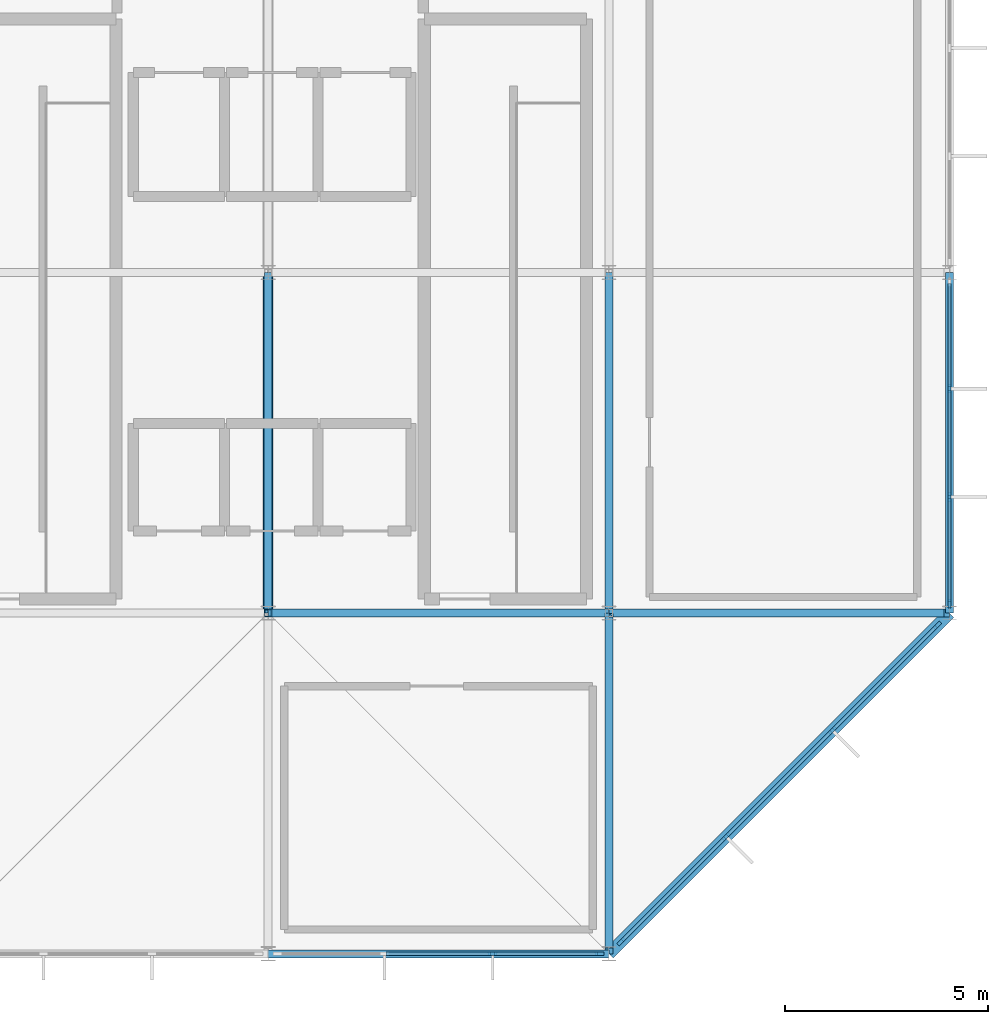
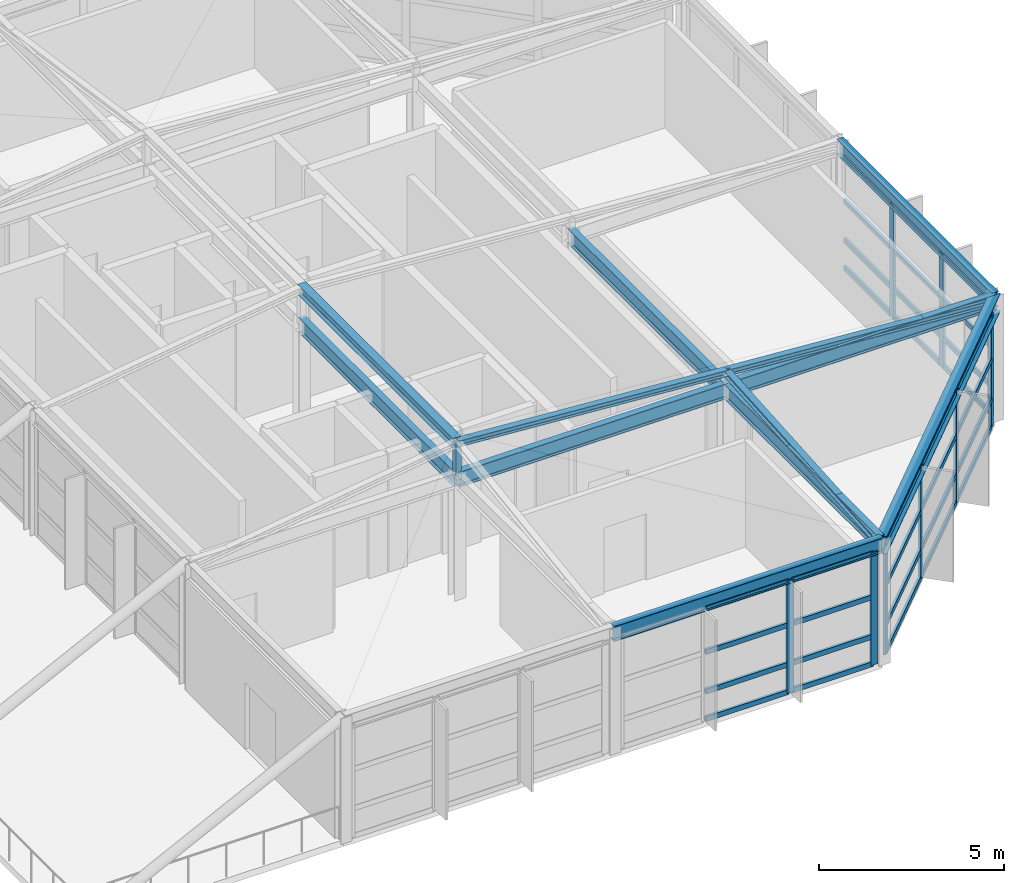
# One storey, part 2 of 9: 46 members, 8 beams, 3 elements without a shape of their own.
"""IFC4 building model written with IfcOpenShell, lengths in metres."""

from ifc_helpers import new_model, si_unit, direction, frame, origin, origin_2d, place, context, subcontext, project, spatial, rectangle, hollow_rectangle, i_section, extrude, material, material_profile, profile_set, type_object, element, aggregate, save


model = new_model("IFC4")

# Units and contexts
model_context = context("Model", 3, precision=1e-05, world=origin(), true_north=direction((0.0, 1.0)))
body_context = subcontext(model_context, "Body", "Model", "MODEL_VIEW")
ifc_project = project(units=[si_unit("LENGTHUNIT", "METRE"), si_unit("AREAUNIT", "SQUARE_METRE"), si_unit("VOLUMEUNIT", "CUBIC_METRE"), si_unit("PLANEANGLEUNIT", "RADIAN"), si_unit("MASSUNIT", "GRAM", prefix="KILO")], contexts=[model_context])

# Site, building, storey
site_placement = place(None, origin())
site = spatial("IfcSite", under=ifc_project, at=site_placement, CompositionType="ELEMENT")
building_placement = place(site_placement, origin())
building = spatial("IfcBuilding", under=site, at=building_placement, Name="Xuanlan Plaza Opera House", CompositionType="ELEMENT")
storey_placement = place(building_placement, frame((0.0, 0.0, 74.39990234375)))
storey = spatial("IfcBuildingStorey", under=building, at=storey_placement, Name="ROOF", CompositionType="ELEMENT", Elevation=74.39990234375)

# Curtain wall, members
ifc_material_1 = material(Name="Anodised Aluminium 6063-T6 and Low-E Glass", Category="aluminium")
curtain_wall_type_1 = type_object("IfcCurtainWallType", Name="ENV-CW-CW-04", PredefinedType="USERDEFINED", material=ifc_material_1)
curtain_wall_1_placement = place(storey_placement, origin())
curtain_wall_1 = element("IfcCurtainWall", 1, at=curtain_wall_1_placement, inside=storey, type_object=curtain_wall_type_1, Name="Unitised Curtain Wall ROOF-002", ObjectType="UNITISED CURTAIN WALL", PredefinedType="USERDEFINED")
ifc_material_2 = material(Name="Anodised Aluminium 6063-T6", Category="aluminium")
ifc_material_profile_1 = material_profile(ifc_material_2, rectangle(XDim=0.080078125, YDim=0.219970703125, at=origin_2d()), Name="ALU-M 80x220")
ifc_profile_set_1 = profile_set([ifc_material_profile_1], Name="Anodised Aluminium 6063-T6")
member_type_1 = type_object("IfcMemberType", Name="ENV-CWM-04", PredefinedType="MULLION", material=ifc_profile_set_1)
member_1_placement = place(storey_placement, frame((148.3349609375, 42.0, 0.0), z_axis=(0.0, 0.0, 1.0), x_axis=(0.0, 1.0, 0.0)))
member_1 = element("IfcMember", 2, at=member_1_placement, type_object=member_type_1, Name="CW-04 mullion 3", PredefinedType="MULLION", context=body_context, shape_type="SweptSolid", body=[
    extrude(rectangle(XDim=0.080078125, YDim=0.219970703125, at=origin_2d()), origin(), (0.0, 0.0, 1.0), 3.72021484375),
])
member_2_placement = place(storey_placement, frame((150.965087890625, 42.0, 0.0), z_axis=(0.0, 0.0, 1.0), x_axis=(0.0, 1.0, 0.0)))
member_2 = element("IfcMember", 3, at=member_2_placement, type_object=member_type_1, Name="CW-04 mullion 4", PredefinedType="MULLION", context=body_context, shape_type="SweptSolid", body=[
    extrude(rectangle(XDim=0.080078125, YDim=0.219970703125, at=origin_2d()), origin(), (0.0, 0.0, 1.0), 3.72021484375),
])

curtain_wall_type_2 = type_object("IfcCurtainWallType", Name="ENV-CW-CW-03", PredefinedType="USERDEFINED", material=ifc_material_1)
curtain_wall_2_placement = place(storey_placement, origin())
curtain_wall_2 = element("IfcCurtainWall", 4, at=curtain_wall_2_placement, inside=storey, type_object=curtain_wall_type_2, Name="Unitised Curtain Wall ROOF-003", ObjectType="UNITISED CURTAIN WALL", PredefinedType="USERDEFINED")
member_3_placement = place(storey_placement, frame((151.502197265625, 42.30224609375, 0.0), z_axis=(0.0, 0.0, 1.0), x_axis=(-0.707106781187, 0.707106781187, 0.0)))
member_3 = element("IfcMember", 5, at=member_3_placement, type_object=member_type_1, Name="CW-03 mullion 1", PredefinedType="MULLION", context=body_context, shape_type="SweptSolid", body=[
    extrude(rectangle(XDim=0.080078125, YDim=0.219970703125, at=origin_2d()), origin(), (0.0, 0.0, 1.0), 3.72021484375),
])
member_4_placement = place(storey_placement, frame((154.09130859375, 44.891357421875, 0.0), z_axis=(0.0, 0.0, 1.0), x_axis=(-0.707106781187, 0.707106781187, 0.0)))
member_4 = element("IfcMember", 6, at=member_4_placement, type_object=member_type_1, Name="CW-03 mullion 2", PredefinedType="MULLION", context=body_context, shape_type="SweptSolid", body=[
    extrude(rectangle(XDim=0.080078125, YDim=0.219970703125, at=origin_2d()), origin(), (0.0, 0.0, 1.0), 3.72021484375),
])
member_5_placement = place(storey_placement, frame((156.708740234375, 47.508544921875, 0.0), z_axis=(0.0, 0.0, 1.0), x_axis=(-0.707106781187, 0.707106781187, 0.0)))
member_5 = element("IfcMember", 7, at=member_5_placement, type_object=member_type_1, Name="CW-03 mullion 3", PredefinedType="MULLION", context=body_context, shape_type="SweptSolid", body=[
    extrude(rectangle(XDim=0.080078125, YDim=0.219970703125, at=origin_2d()), origin(), (0.0, 0.0, 1.0), 3.72021484375),
])
member_6_placement = place(storey_placement, frame((159.297607421875, 50.09765625, 0.0), z_axis=(0.0, 0.0, 1.0), x_axis=(-0.707106781187, 0.707106781187, 0.0)))
member_6 = element("IfcMember", 8, at=member_6_placement, type_object=member_type_1, Name="CW-03 mullion 4", PredefinedType="MULLION", context=body_context, shape_type="SweptSolid", body=[
    extrude(rectangle(XDim=0.080078125, YDim=0.219970703125, at=origin_2d()), origin(), (0.0, 0.0, 1.0), 3.72021484375),
])

curtain_wall_3_placement = place(storey_placement, origin())
curtain_wall_3 = element("IfcCurtainWall", 9, at=curtain_wall_3_placement, inside=storey, type_object=curtain_wall_type_1, Name="Unitised Curtain Wall ROOF-004", ObjectType="UNITISED CURTAIN WALL", PredefinedType="USERDEFINED")
member_7_placement = place(storey_placement, frame((159.60009765625, 50.635009765625, 0.0), z_axis=(0.0, 0.0, 1.0), x_axis=(-1.0, 0.0, 0.0)))
member_7 = element("IfcMember", 10, at=member_7_placement, type_object=member_type_1, Name="CW-04 mullion 1", PredefinedType="MULLION", context=body_context, shape_type="SweptSolid", body=[
    extrude(rectangle(XDim=0.080078125, YDim=0.219970703125, at=origin_2d()), origin(), (0.0, 0.0, 1.0), 3.72021484375),
])
member_8_placement = place(storey_placement, frame((159.60009765625, 53.264892578125, 0.0), z_axis=(0.0, 0.0, 1.0), x_axis=(-1.0, 0.0, 0.0)))
member_8 = element("IfcMember", 11, at=member_8_placement, type_object=member_type_1, Name="CW-04 mullion 2", PredefinedType="MULLION", context=body_context, shape_type="SweptSolid", body=[
    extrude(rectangle(XDim=0.080078125, YDim=0.219970703125, at=origin_2d()), origin(), (0.0, 0.0, 1.0), 3.72021484375),
])
member_9_placement = place(storey_placement, frame((159.60009765625, 55.93505859375, 0.0), z_axis=(0.0, 0.0, 1.0), x_axis=(-1.0, 0.0, 0.0)))
member_9 = element("IfcMember", 12, at=member_9_placement, type_object=member_type_1, Name="CW-04 mullion 3", PredefinedType="MULLION", context=body_context, shape_type="SweptSolid", body=[
    extrude(rectangle(XDim=0.080078125, YDim=0.219970703125, at=origin_2d()), origin(), (0.0, 0.0, 1.0), 3.72021484375),
])

# Member
ifc_material_profile_2 = material_profile(ifc_material_2, rectangle(XDim=0.080078125, YDim=0.1650390625, at=origin_2d()), Name="ALU-T 80x165")
ifc_profile_set_2 = profile_set([ifc_material_profile_2], Name="Anodised Aluminium 6063-T6")
member_type_2 = type_object("IfcMemberType", Name="ENV-CWT-04", PredefinedType="USERDEFINED", material=ifc_profile_set_2)
member_10_placement = place(storey_placement, frame((145.705078125, 42.0, 0.0400390625), z_axis=(1.0, 0.0, 0.0), x_axis=(0.0, 1.0, 0.0)))
member_10 = element("IfcMember", 13, at=member_10_placement, type_object=member_type_2, Name="CW-04 transom 2.1", ObjectType="TRANSOM", PredefinedType="USERDEFINED", context=body_context, shape_type="SweptSolid", body=[
    extrude(rectangle(XDim=0.080078125, YDim=0.1650390625, at=origin_2d()), origin(), (0.0, 0.0, 1.0), 2.58984375),
])

member_11_placement = place(storey_placement, frame((145.705078125, 42.0, 0.9501953125), z_axis=(1.0, 0.0, 0.0), x_axis=(0.0, 1.0, 0.0)))
member_11 = element("IfcMember", 14, at=member_11_placement, type_object=member_type_2, Name="CW-04 transom 2.2", ObjectType="TRANSOM", PredefinedType="USERDEFINED", context=body_context, shape_type="SweptSolid", body=[
    extrude(rectangle(XDim=0.080078125, YDim=0.1650390625, at=origin_2d()), origin(), (0.0, 0.0, 1.0), 2.58984375),
])

member_12_placement = place(storey_placement, frame((145.705078125, 42.0, 2.25), z_axis=(1.0, 0.0, 0.0), x_axis=(0.0, 1.0, 0.0)))
member_12 = element("IfcMember", 15, at=member_12_placement, type_object=member_type_2, Name="CW-04 transom 2.3", ObjectType="TRANSOM", PredefinedType="USERDEFINED", context=body_context, shape_type="SweptSolid", body=[
    extrude(rectangle(XDim=0.080078125, YDim=0.1650390625, at=origin_2d()), origin(), (0.0, 0.0, 1.0), 2.58984375),
])

member_13_placement = place(storey_placement, frame((145.705078125, 42.0, 3.68017578125), z_axis=(1.0, 0.0, 0.0), x_axis=(0.0, 1.0, 0.0)))
member_13 = element("IfcMember", 16, at=member_13_placement, type_object=member_type_2, Name="CW-04 transom 2.4", ObjectType="TRANSOM", PredefinedType="USERDEFINED", context=body_context, shape_type="SweptSolid", body=[
    extrude(rectangle(XDim=0.080078125, YDim=0.1650390625, at=origin_2d()), origin(), (0.0, 0.0, 1.0), 2.58984375),
])

member_14_placement = place(storey_placement, frame((148.375, 42.0, 0.0400390625), z_axis=(1.0, 0.0, 0.0), x_axis=(0.0, 1.0, 0.0)))
member_14 = element("IfcMember", 17, at=member_14_placement, type_object=member_type_2, Name="CW-04 transom 3.1", ObjectType="TRANSOM", PredefinedType="USERDEFINED", context=body_context, shape_type="SweptSolid", body=[
    extrude(rectangle(XDim=0.080078125, YDim=0.1650390625, at=origin_2d()), origin(), (0.0, 0.0, 1.0), 2.550048828125),
])

member_15_placement = place(storey_placement, frame((148.375, 42.0, 0.9501953125), z_axis=(1.0, 0.0, 0.0), x_axis=(0.0, 1.0, 0.0)))
member_15 = element("IfcMember", 18, at=member_15_placement, type_object=member_type_2, Name="CW-04 transom 3.2", ObjectType="TRANSOM", PredefinedType="USERDEFINED", context=body_context, shape_type="SweptSolid", body=[
    extrude(rectangle(XDim=0.080078125, YDim=0.1650390625, at=origin_2d()), origin(), (0.0, 0.0, 1.0), 2.550048828125),
])

member_16_placement = place(storey_placement, frame((148.375, 42.0, 2.25), z_axis=(1.0, 0.0, 0.0), x_axis=(0.0, 1.0, 0.0)))
member_16 = element("IfcMember", 19, at=member_16_placement, type_object=member_type_2, Name="CW-04 transom 3.3", ObjectType="TRANSOM", PredefinedType="USERDEFINED", context=body_context, shape_type="SweptSolid", body=[
    extrude(rectangle(XDim=0.080078125, YDim=0.1650390625, at=origin_2d()), origin(), (0.0, 0.0, 1.0), 2.550048828125),
])

member_17_placement = place(storey_placement, frame((148.375, 42.0, 3.68017578125), z_axis=(1.0, 0.0, 0.0), x_axis=(0.0, 1.0, 0.0)))
member_17 = element("IfcMember", 20, at=member_17_placement, type_object=member_type_2, Name="CW-04 transom 3.4", ObjectType="TRANSOM", PredefinedType="USERDEFINED", context=body_context, shape_type="SweptSolid", body=[
    extrude(rectangle(XDim=0.080078125, YDim=0.1650390625, at=origin_2d()), origin(), (0.0, 0.0, 1.0), 2.550048828125),
])

aggregate(curtain_wall_1, [member_1, member_2, member_10, member_11, member_12, member_13, member_14, member_15, member_16, member_17])

member_18_placement = place(storey_placement, frame((151.530517578125, 42.33056640625, 0.0400390625), z_axis=(0.707106781187, 0.707106781187, 0.0), x_axis=(-0.707106781187, 0.707106781187, 0.0)))
member_18 = element("IfcMember", 21, at=member_18_placement, type_object=member_type_2, Name="CW-03 transom 1.1", ObjectType="TRANSOM", PredefinedType="USERDEFINED", context=body_context, shape_type="SweptSolid", body=[
    extrude(rectangle(XDim=0.080078125, YDim=0.1650390625, at=origin_2d()), origin(), (0.0, 0.0, 1.0), 3.58154296875),
])

member_19_placement = place(storey_placement, frame((151.530517578125, 42.33056640625, 0.9501953125), z_axis=(0.707106781187, 0.707106781187, 0.0), x_axis=(-0.707106781187, 0.707106781187, 0.0)))
member_19 = element("IfcMember", 22, at=member_19_placement, type_object=member_type_2, Name="CW-03 transom 1.2", ObjectType="TRANSOM", PredefinedType="USERDEFINED", context=body_context, shape_type="SweptSolid", body=[
    extrude(rectangle(XDim=0.080078125, YDim=0.1650390625, at=origin_2d()), origin(), (0.0, 0.0, 1.0), 3.58154296875),
])

member_20_placement = place(storey_placement, frame((151.530517578125, 42.33056640625, 2.25), z_axis=(0.707106781187, 0.707106781187, 0.0), x_axis=(-0.707106781187, 0.707106781187, 0.0)))
member_20 = element("IfcMember", 23, at=member_20_placement, type_object=member_type_2, Name="CW-03 transom 1.3", ObjectType="TRANSOM", PredefinedType="USERDEFINED", context=body_context, shape_type="SweptSolid", body=[
    extrude(rectangle(XDim=0.080078125, YDim=0.1650390625, at=origin_2d()), origin(), (0.0, 0.0, 1.0), 3.58154296875),
])

member_21_placement = place(storey_placement, frame((151.530517578125, 42.33056640625, 3.68017578125), z_axis=(0.707106781187, 0.707106781187, 0.0), x_axis=(-0.707106781187, 0.707106781187, 0.0)))
member_21 = element("IfcMember", 24, at=member_21_placement, type_object=member_type_2, Name="CW-03 transom 1.4", ObjectType="TRANSOM", PredefinedType="USERDEFINED", context=body_context, shape_type="SweptSolid", body=[
    extrude(rectangle(XDim=0.080078125, YDim=0.1650390625, at=origin_2d()), origin(), (0.0, 0.0, 1.0), 3.58154296875),
])

member_22_placement = place(storey_placement, frame((154.11962890625, 44.919677734375, 0.0400390625), z_axis=(0.707106781187, 0.707106781187, 0.0), x_axis=(-0.707106781187, 0.707106781187, 0.0)))
member_22 = element("IfcMember", 25, at=member_22_placement, type_object=member_type_2, Name="CW-03 transom 2.1", ObjectType="TRANSOM", PredefinedType="USERDEFINED", context=body_context, shape_type="SweptSolid", body=[
    extrude(rectangle(XDim=0.080078125, YDim=0.1650390625, at=origin_2d()), origin(), (0.0, 0.0, 1.0), 3.62158203125),
])

member_23_placement = place(storey_placement, frame((154.11962890625, 44.919677734375, 0.9501953125), z_axis=(0.707106781187, 0.707106781187, 0.0), x_axis=(-0.707106781187, 0.707106781187, 0.0)))
member_23 = element("IfcMember", 26, at=member_23_placement, type_object=member_type_2, Name="CW-03 transom 2.2", ObjectType="TRANSOM", PredefinedType="USERDEFINED", context=body_context, shape_type="SweptSolid", body=[
    extrude(rectangle(XDim=0.080078125, YDim=0.1650390625, at=origin_2d()), origin(), (0.0, 0.0, 1.0), 3.62158203125),
])

member_24_placement = place(storey_placement, frame((154.11962890625, 44.919677734375, 2.25), z_axis=(0.707106781187, 0.707106781187, 0.0), x_axis=(-0.707106781187, 0.707106781187, 0.0)))
member_24 = element("IfcMember", 27, at=member_24_placement, type_object=member_type_2, Name="CW-03 transom 2.3", ObjectType="TRANSOM", PredefinedType="USERDEFINED", context=body_context, shape_type="SweptSolid", body=[
    extrude(rectangle(XDim=0.080078125, YDim=0.1650390625, at=origin_2d()), origin(), (0.0, 0.0, 1.0), 3.62158203125),
])

member_25_placement = place(storey_placement, frame((154.11962890625, 44.919677734375, 3.68017578125), z_axis=(0.707106781187, 0.707106781187, 0.0), x_axis=(-0.707106781187, 0.707106781187, 0.0)))
member_25 = element("IfcMember", 28, at=member_25_placement, type_object=member_type_2, Name="CW-03 transom 2.4", ObjectType="TRANSOM", PredefinedType="USERDEFINED", context=body_context, shape_type="SweptSolid", body=[
    extrude(rectangle(XDim=0.080078125, YDim=0.1650390625, at=origin_2d()), origin(), (0.0, 0.0, 1.0), 3.62158203125),
])

member_26_placement = place(storey_placement, frame((156.737060546875, 47.536865234375, 0.0400390625), z_axis=(0.707106781187, 0.707106781187, 0.0), x_axis=(-0.707106781187, 0.707106781187, 0.0)))
member_26 = element("IfcMember", 29, at=member_26_placement, type_object=member_type_2, Name="CW-03 transom 3.1", ObjectType="TRANSOM", PredefinedType="USERDEFINED", context=body_context, shape_type="SweptSolid", body=[
    extrude(rectangle(XDim=0.080078125, YDim=0.1650390625, at=origin_2d()), origin(), (0.0, 0.0, 1.0), 3.58154296875),
])

member_27_placement = place(storey_placement, frame((156.737060546875, 47.536865234375, 0.9501953125), z_axis=(0.707106781187, 0.707106781187, 0.0), x_axis=(-0.707106781187, 0.707106781187, 0.0)))
member_27 = element("IfcMember", 30, at=member_27_placement, type_object=member_type_2, Name="CW-03 transom 3.2", ObjectType="TRANSOM", PredefinedType="USERDEFINED", context=body_context, shape_type="SweptSolid", body=[
    extrude(rectangle(XDim=0.080078125, YDim=0.1650390625, at=origin_2d()), origin(), (0.0, 0.0, 1.0), 3.58154296875),
])

member_28_placement = place(storey_placement, frame((156.737060546875, 47.536865234375, 2.25), z_axis=(0.707106781187, 0.707106781187, 0.0), x_axis=(-0.707106781187, 0.707106781187, 0.0)))
member_28 = element("IfcMember", 31, at=member_28_placement, type_object=member_type_2, Name="CW-03 transom 3.3", ObjectType="TRANSOM", PredefinedType="USERDEFINED", context=body_context, shape_type="SweptSolid", body=[
    extrude(rectangle(XDim=0.080078125, YDim=0.1650390625, at=origin_2d()), origin(), (0.0, 0.0, 1.0), 3.58154296875),
])

member_29_placement = place(storey_placement, frame((156.737060546875, 47.536865234375, 3.68017578125), z_axis=(0.707106781187, 0.707106781187, 0.0), x_axis=(-0.707106781187, 0.707106781187, 0.0)))
member_29 = element("IfcMember", 32, at=member_29_placement, type_object=member_type_2, Name="CW-03 transom 3.4", ObjectType="TRANSOM", PredefinedType="USERDEFINED", context=body_context, shape_type="SweptSolid", body=[
    extrude(rectangle(XDim=0.080078125, YDim=0.1650390625, at=origin_2d()), origin(), (0.0, 0.0, 1.0), 3.58154296875),
])

aggregate(curtain_wall_2, [member_3, member_4, member_5, member_6, member_18, member_19, member_20, member_21, member_22, member_23, member_24, member_25, member_26, member_27, member_28, member_29])

member_30_placement = place(storey_placement, frame((159.60009765625, 50.675048828125, 0.0400390625), z_axis=(0.0, 1.0, 0.0), x_axis=(-1.0, 0.0, 0.0)))
member_30 = element("IfcMember", 33, at=member_30_placement, type_object=member_type_2, Name="CW-04 transom 1.1", ObjectType="TRANSOM", PredefinedType="USERDEFINED", context=body_context, shape_type="SweptSolid", body=[
    extrude(rectangle(XDim=0.080078125, YDim=0.1650390625, at=origin_2d()), origin(), (0.0, 0.0, 1.0), 2.550048828125),
])

member_31_placement = place(storey_placement, frame((159.60009765625, 50.675048828125, 0.9501953125), z_axis=(0.0, 1.0, 0.0), x_axis=(-1.0, 0.0, 0.0)))
member_31 = element("IfcMember", 34, at=member_31_placement, type_object=member_type_2, Name="CW-04 transom 1.2", ObjectType="TRANSOM", PredefinedType="USERDEFINED", context=body_context, shape_type="SweptSolid", body=[
    extrude(rectangle(XDim=0.080078125, YDim=0.1650390625, at=origin_2d()), origin(), (0.0, 0.0, 1.0), 2.550048828125),
])

member_32_placement = place(storey_placement, frame((159.60009765625, 50.675048828125, 2.25), z_axis=(0.0, 1.0, 0.0), x_axis=(-1.0, 0.0, 0.0)))
member_32 = element("IfcMember", 35, at=member_32_placement, type_object=member_type_2, Name="CW-04 transom 1.3", ObjectType="TRANSOM", PredefinedType="USERDEFINED", context=body_context, shape_type="SweptSolid", body=[
    extrude(rectangle(XDim=0.080078125, YDim=0.1650390625, at=origin_2d()), origin(), (0.0, 0.0, 1.0), 2.550048828125),
])

member_33_placement = place(storey_placement, frame((159.60009765625, 50.675048828125, 3.68017578125), z_axis=(0.0, 1.0, 0.0), x_axis=(-1.0, 0.0, 0.0)))
member_33 = element("IfcMember", 36, at=member_33_placement, type_object=member_type_2, Name="CW-04 transom 1.4", ObjectType="TRANSOM", PredefinedType="USERDEFINED", context=body_context, shape_type="SweptSolid", body=[
    extrude(rectangle(XDim=0.080078125, YDim=0.1650390625, at=origin_2d()), origin(), (0.0, 0.0, 1.0), 2.550048828125),
])

member_34_placement = place(storey_placement, frame((159.60009765625, 53.304931640625, 0.0400390625), z_axis=(0.0, 1.0, 0.0), x_axis=(-1.0, 0.0, 0.0)))
member_34 = element("IfcMember", 37, at=member_34_placement, type_object=member_type_2, Name="CW-04 transom 2.1", ObjectType="TRANSOM", PredefinedType="USERDEFINED", context=body_context, shape_type="SweptSolid", body=[
    extrude(rectangle(XDim=0.080078125, YDim=0.1650390625, at=origin_2d()), origin(), (0.0, 0.0, 1.0), 2.590087890625),
])

member_35_placement = place(storey_placement, frame((159.60009765625, 53.304931640625, 0.9501953125), z_axis=(0.0, 1.0, 0.0), x_axis=(-1.0, 0.0, 0.0)))
member_35 = element("IfcMember", 38, at=member_35_placement, type_object=member_type_2, Name="CW-04 transom 2.2", ObjectType="TRANSOM", PredefinedType="USERDEFINED", context=body_context, shape_type="SweptSolid", body=[
    extrude(rectangle(XDim=0.080078125, YDim=0.1650390625, at=origin_2d()), origin(), (0.0, 0.0, 1.0), 2.590087890625),
])

member_36_placement = place(storey_placement, frame((159.60009765625, 53.304931640625, 2.25), z_axis=(0.0, 1.0, 0.0), x_axis=(-1.0, 0.0, 0.0)))
member_36 = element("IfcMember", 39, at=member_36_placement, type_object=member_type_2, Name="CW-04 transom 2.3", ObjectType="TRANSOM", PredefinedType="USERDEFINED", context=body_context, shape_type="SweptSolid", body=[
    extrude(rectangle(XDim=0.080078125, YDim=0.1650390625, at=origin_2d()), origin(), (0.0, 0.0, 1.0), 2.590087890625),
])

member_37_placement = place(storey_placement, frame((159.60009765625, 53.304931640625, 3.68017578125), z_axis=(0.0, 1.0, 0.0), x_axis=(-1.0, 0.0, 0.0)))
member_37 = element("IfcMember", 40, at=member_37_placement, type_object=member_type_2, Name="CW-04 transom 2.4", ObjectType="TRANSOM", PredefinedType="USERDEFINED", context=body_context, shape_type="SweptSolid", body=[
    extrude(rectangle(XDim=0.080078125, YDim=0.1650390625, at=origin_2d()), origin(), (0.0, 0.0, 1.0), 2.590087890625),
])

member_38_placement = place(storey_placement, frame((159.60009765625, 55.97509765625, 0.0400390625), z_axis=(0.0, 1.0, 0.0), x_axis=(-1.0, 0.0, 0.0)))
member_38 = element("IfcMember", 41, at=member_38_placement, type_object=member_type_2, Name="CW-04 transom 3.1", ObjectType="TRANSOM", PredefinedType="USERDEFINED", context=body_context, shape_type="SweptSolid", body=[
    extrude(rectangle(XDim=0.080078125, YDim=0.1650390625, at=origin_2d()), origin(), (0.0, 0.0, 1.0), 2.5498046875),
])

member_39_placement = place(storey_placement, frame((159.60009765625, 55.97509765625, 0.9501953125), z_axis=(0.0, 1.0, 0.0), x_axis=(-1.0, 0.0, 0.0)))
member_39 = element("IfcMember", 42, at=member_39_placement, type_object=member_type_2, Name="CW-04 transom 3.2", ObjectType="TRANSOM", PredefinedType="USERDEFINED", context=body_context, shape_type="SweptSolid", body=[
    extrude(rectangle(XDim=0.080078125, YDim=0.1650390625, at=origin_2d()), origin(), (0.0, 0.0, 1.0), 2.5498046875),
])

member_40_placement = place(storey_placement, frame((159.60009765625, 55.97509765625, 2.25), z_axis=(0.0, 1.0, 0.0), x_axis=(-1.0, 0.0, 0.0)))
member_40 = element("IfcMember", 43, at=member_40_placement, type_object=member_type_2, Name="CW-04 transom 3.3", ObjectType="TRANSOM", PredefinedType="USERDEFINED", context=body_context, shape_type="SweptSolid", body=[
    extrude(rectangle(XDim=0.080078125, YDim=0.1650390625, at=origin_2d()), origin(), (0.0, 0.0, 1.0), 2.5498046875),
])

member_41_placement = place(storey_placement, frame((159.60009765625, 55.97509765625, 3.68017578125), z_axis=(0.0, 1.0, 0.0), x_axis=(-1.0, 0.0, 0.0)))
member_41 = element("IfcMember", 44, at=member_41_placement, type_object=member_type_2, Name="CW-04 transom 3.4", ObjectType="TRANSOM", PredefinedType="USERDEFINED", context=body_context, shape_type="SweptSolid", body=[
    extrude(rectangle(XDim=0.080078125, YDim=0.1650390625, at=origin_2d()), origin(), (0.0, 0.0, 1.0), 2.5498046875),
])

aggregate(curtain_wall_3, [member_7, member_8, member_9, member_30, member_31, member_32, member_33, member_34, member_35, member_36, member_37, member_38, member_39, member_40, member_41])

# Beams
ifc_material_3 = material(Name="Steel Q355B", Category="steel")
ifc_material_profile_3 = material_profile(ifc_material_3, i_section(OverallWidth=0.199951171875, OverallDepth=0.5, WebThickness=0.010009765625, FlangeThickness=0.01611328125, FilletRadius=0.02001953125, at=origin_2d()), Name="HN 500x200x10x16")
ifc_profile_set_3 = profile_set([ifc_material_profile_3], Name="Steel Q355B")
beam_type_1 = type_object("IfcBeamType", Name="STR-BM-SB-05", PredefinedType="BEAM", material=ifc_profile_set_3)
for number, where, z_axis, x_axis, name in (
    (45, (142.800048828125, 42.0, 3.900146484375), (1.0, 0.0, 0.0), (0.0, 1.0, 0.0), "Crown Sky-Lantern Beam X ROOF 18-19/F"),
    (46, (142.800048828125, 50.39990234375, 3.900146484375), (1.0, 0.0, 0.0), (0.0, 1.0, 0.0), "Crown Sky-Lantern Beam X ROOF 18-19/G"),
):
    element("IfcBeam", number, at=place(storey_placement, frame(where, z_axis=z_axis, x_axis=x_axis)), inside=storey, type_object=beam_type_1, Name=name, PredefinedType="BEAM", context=body_context, shape_type="SweptSolid", body=[
        extrude(i_section(OverallWidth=0.199951171875, OverallDepth=0.5, WebThickness=0.010009765625, FlangeThickness=0.01611328125, FilletRadius=0.02001953125, at=origin_2d()), origin(), (0.0, 0.0, 1.0), 8.39990234375),
    ])
for number, where, z_axis, x_axis, name in (
    (47, (151.199951171875, 50.39990234375, 3.900146484375), (1.0, 0.0, 0.0), (0.0, 1.0, 0.0), "Crown Sky-Lantern Beam X ROOF 19-20/G"),
    (48, (142.800048828125, 50.39990234375, 3.900146484375), (0.0, 1.0, 0.0), (-1.0, 0.0, 0.0), "Crown Sky-Lantern Beam Y ROOF 18/G-H"),
):
    element("IfcBeam", number, at=place(storey_placement, frame(where, z_axis=z_axis, x_axis=x_axis)), inside=storey, type_object=beam_type_1, Name=name, PredefinedType="BEAM", context=body_context, shape_type="SweptSolid", body=[
        extrude(i_section(OverallWidth=0.199951171875, OverallDepth=0.5, WebThickness=0.010009765625, FlangeThickness=0.01611328125, FilletRadius=0.02001953125, at=origin_2d()), origin(), (0.0, 0.0, 1.0), 8.400146484375),
    ])
beam_1_placement = place(storey_placement, frame((151.199951171875, 42.0, 3.900146484375), z_axis=(0.0, 1.0, 0.0), x_axis=(-1.0, 0.0, 0.0)))
element("IfcBeam", 49, at=beam_1_placement, inside=storey, type_object=beam_type_1, Name="Crown Sky-Lantern Beam Y ROOF 19/F-G", PredefinedType="BEAM", context=body_context, shape_type="SweptSolid", body=[
    extrude(i_section(OverallWidth=0.199951171875, OverallDepth=0.5, WebThickness=0.010009765625, FlangeThickness=0.01611328125, FilletRadius=0.02001953125, at=origin_2d()), origin(), (0.0, 0.0, 1.0), 8.39990234375),
])
for number, where, z_axis, x_axis, name in (
    (50, (151.199951171875, 50.39990234375, 3.900146484375), (0.0, 1.0, 0.0), (-1.0, 0.0, 0.0), "Crown Sky-Lantern Beam Y ROOF 19/G-H"),
    (51, (159.60009765625, 50.39990234375, 3.900146484375), (0.0, 1.0, 0.0), (-1.0, 0.0, 0.0), "Crown Sky-Lantern Beam Y ROOF 20/G-H"),
):
    element("IfcBeam", number, at=place(storey_placement, frame(where, z_axis=z_axis, x_axis=x_axis)), inside=storey, type_object=beam_type_1, Name=name, PredefinedType="BEAM", context=body_context, shape_type="SweptSolid", body=[
        extrude(i_section(OverallWidth=0.199951171875, OverallDepth=0.5, WebThickness=0.010009765625, FlangeThickness=0.01611328125, FilletRadius=0.02001953125, at=origin_2d()), origin(), (0.0, 0.0, 1.0), 8.400146484375),
    ])
ifc_material_profile_4 = material_profile(ifc_material_3, i_section(OverallWidth=0.300048828125, OverallDepth=0.587890625, WebThickness=0.011962890625, FlangeThickness=0.02001953125, FilletRadius=0.02392578125, at=origin_2d()), Name="HM 588x300x12x20")
ifc_profile_set_4 = profile_set([ifc_material_profile_4], Name="Steel Q355B")
beam_type_2 = type_object("IfcBeamType", Name="STR-BM-SP-03", PredefinedType="SPANDREL", material=ifc_profile_set_4)
beam_2_placement = place(storey_placement, frame((151.199951171875, 42.0, 3.856201171875), z_axis=(0.707117056885, 0.707096505339, 0.0), x_axis=(-0.707096505339, 0.707117056885, 0.0)))
element("IfcBeam", 52, at=beam_2_placement, inside=storey, type_object=beam_type_2, Name="Crown Sky-Lantern Chamfer Spandrel ROOF SE", PredefinedType="SPANDREL", context=body_context, shape_type="SweptSolid", body=[
    extrude(i_section(OverallWidth=0.300048828125, OverallDepth=0.587890625, WebThickness=0.011962890625, FlangeThickness=0.02001953125, FilletRadius=0.02392578125, at=origin_2d()), origin(), (0.0, 0.0, 1.0), 11.87939453125),
])

# Members
ifc_material_profile_5 = material_profile(ifc_material_3, hollow_rectangle(XDim=0.179931640625, YDim=0.179931640625, WallThickness=0.010009765625, at=origin_2d()), Name="SHS 180x180x10")
ifc_profile_set_5 = profile_set([ifc_material_profile_5], Name="Steel Q355B")
member_type_3 = type_object("IfcMemberType", Name="STR-MEM-ST-M2", PredefinedType="STRUT", material=ifc_profile_set_5)
member_42_placement = place(storey_placement, frame((142.800048828125, 50.39990234375, 3.900146484375), z_axis=(0.0, 0.0, 1.0), x_axis=(1.0, 0.0, 0.0)))
element("IfcMember", 53, at=member_42_placement, inside=storey, type_object=member_type_3, Name="Crown Lantern King-Post Strut 01", PredefinedType="STRUT", context=body_context, shape_type="SweptSolid", body=[
    extrude(hollow_rectangle(XDim=0.179931640625, YDim=0.179931640625, WallThickness=0.010009765625, at=origin_2d()), origin(), (0.0, 0.0, 1.0), 1.179931640625),
])
ifc_material_profile_6 = material_profile(ifc_material_3, i_section(OverallWidth=0.25, OverallDepth=0.340087890625, WebThickness=0.009033203125, FlangeThickness=0.013916015625, FilletRadius=0.01611328125, at=origin_2d()), Name="HM 340x250x9x14")
ifc_profile_set_6 = profile_set([ifc_material_profile_6], Name="Steel Q355B")
member_type_4 = type_object("IfcMemberType", Name="STR-MEM-TC-01", PredefinedType="CHORD", material=ifc_profile_set_6)
member_43_placement = place(storey_placement, frame((142.800048828125, 50.39990234375, 5.080078125), z_axis=(0.0, 1.0, 0.0), x_axis=(-1.0, 0.0, 0.0)))
element("IfcMember", 54, at=member_43_placement, inside=storey, type_object=member_type_4, Name="Crown Lantern Roof Ridge Chord South", PredefinedType="CHORD", context=body_context, shape_type="SweptSolid", body=[
    extrude(i_section(OverallWidth=0.25, OverallDepth=0.340087890625, WebThickness=0.009033203125, FlangeThickness=0.013916015625, FilletRadius=0.01611328125, at=origin_2d()), origin(), (0.0, 0.0, 1.0), 8.400146484375),
])
ifc_material_profile_7 = material_profile(ifc_material_3, i_section(OverallWidth=0.199951171875, OverallDepth=0.199951171875, WebThickness=0.008056640625, FlangeThickness=0.011962890625, FilletRadius=0.012939453125, at=origin_2d()), Name="HW 200x200x8x12")
ifc_profile_set_7 = profile_set([ifc_material_profile_7], Name="Steel Q355B")
member_type_5 = type_object("IfcMemberType", Name="STR-MEM-TC-02", PredefinedType="CHORD", material=ifc_profile_set_7)
member_44_placement = place(storey_placement, frame((151.199951171875, 50.39990234375, 4.47998046875), z_axis=(-0.997457816785, 0.0, 0.071259411546), x_axis=(0.0, -1.0, 0.0)))
element("IfcMember", 55, at=member_44_placement, inside=storey, type_object=member_type_5, Name="Crown Lantern Sloped Rafter 06", PredefinedType="CHORD", context=body_context, shape_type="SweptSolid", body=[
    extrude(i_section(OverallWidth=0.199951171875, OverallDepth=0.199951171875, WebThickness=0.008056640625, FlangeThickness=0.011962890625, FilletRadius=0.012939453125, at=origin_2d()), origin(), (0.0, 0.0, 1.0), 8.42138671875),
])
for number, where, z_axis, x_axis, name in (
    (56, (159.449951171875, 50.39990234375, 3.900146484375), (-0.997539269165, 0.0, 0.07010995988), (0.0, -1.0, 0.0), "Crown Lantern Sloped Rafter 07"),
    (57, (151.199951171875, 42.14990234375, 3.900146484375), (0.0, 0.997539269165, 0.07010995988), (-1.0, 0.0, 0.0), "Crown Lantern Sloped Rafter 12"),
):
    element("IfcMember", number, at=place(storey_placement, frame(where, z_axis=z_axis, x_axis=x_axis)), inside=storey, type_object=member_type_5, Name=name, PredefinedType="CHORD", context=body_context, shape_type="SweptSolid", body=[
        extrude(i_section(OverallWidth=0.199951171875, OverallDepth=0.199951171875, WebThickness=0.008056640625, FlangeThickness=0.011962890625, FilletRadius=0.012939453125, at=origin_2d()), origin(), (0.0, 0.0, 1.0), 8.270263671875),
    ])

save(model, "model.ifc")
